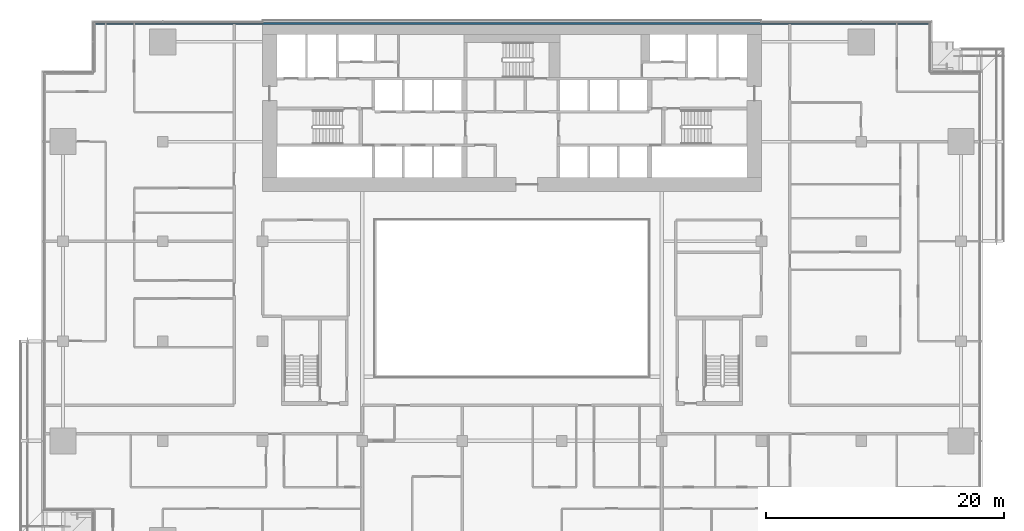
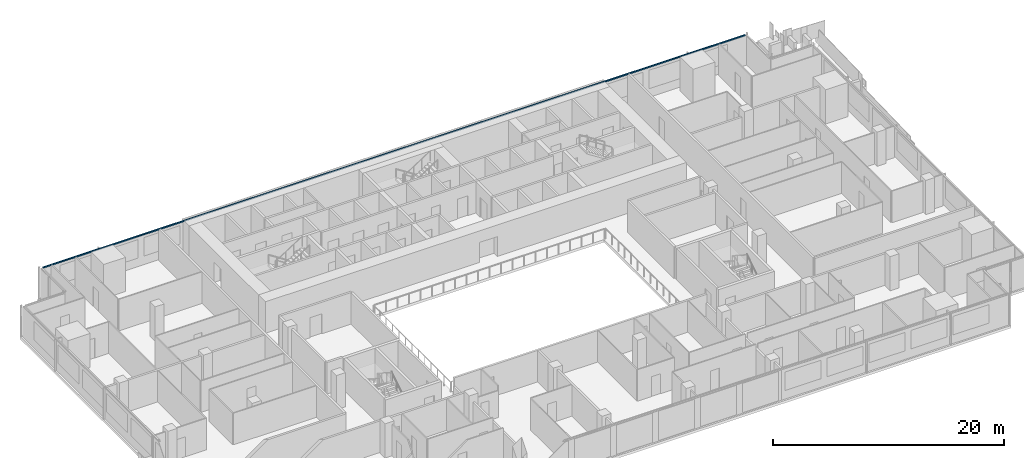
# One storey, part 8 of 27: 1 member, 1 element without a shape of its own.
"""IFC4 building model written with IfcOpenShell, lengths in metres."""

from ifc_helpers import new_model, si_unit, direction, frame, origin, origin_2d, place, context, subcontext, project, spatial, rectangle, extrude, material, material_profile, profile_set, type_object, element, aggregate, save


model = new_model("IFC4")

# Units and contexts
model_context = context("Model", 3, precision=1e-05, world=origin(), true_north=direction((0.0, 1.0)))
body_context = subcontext(model_context, "Body", "Model", "MODEL_VIEW")
ifc_project = project(units=[si_unit("LENGTHUNIT", "METRE"), si_unit("AREAUNIT", "SQUARE_METRE"), si_unit("VOLUMEUNIT", "CUBIC_METRE"), si_unit("PLANEANGLEUNIT", "RADIAN"), si_unit("MASSUNIT", "GRAM", prefix="KILO")], contexts=[model_context])

# Site, building, storey
site_placement = place(None, origin())
site = spatial("IfcSite", under=ifc_project, at=site_placement, CompositionType="ELEMENT")
building_placement = place(site_placement, origin())
building = spatial("IfcBuilding", under=site, at=building_placement, Name="Saffron Gate Tower", CompositionType="ELEMENT")
storey_placement = place(building_placement, frame((0.0, 0.0, 76.800048828125)))
storey = spatial("IfcBuildingStorey", under=building, at=storey_placement, Name="L18", CompositionType="ELEMENT", Elevation=76.800048828125)

# Curtain wall, member
ifc_material = material(Name="Aluminium, bronze anodised", Category="aluminium")
curtain_wall_type = type_object("IfcCurtainWallType", Name="CWS3 curtain wall rear facade", PredefinedType="NOTDEFINED", material=ifc_material)
curtain_wall_placement = place(storey_placement, origin())
curtain_wall = element("IfcCurtainWall", 1, at=curtain_wall_placement, inside=storey, type_object=curtain_wall_type, Name="CWS3 run 7", PredefinedType="NOTDEFINED")
ifc_material_profile = material_profile(ifc_material, rectangle(XDim=0.1201171875, YDim=0.1201171875, at=origin_2d()))
ifc_profile_set = profile_set([ifc_material_profile], Name="Aluminium, bronze anodised")
member_type = type_object("IfcMemberType", Name="CWS3 head transom", PredefinedType="USERDEFINED", material=ifc_profile_set)
member_placement = place(storey_placement, frame((122.632080078125, 75.35205078125, 3.260009765625), z_axis=(-1.0, 0.0, 0.0), x_axis=(0.0, -1.0, 0.0)))
member = element("IfcMember", 2, at=member_placement, type_object=member_type, Name="CWS3 head transom", ObjectType="TRANSOM", PredefinedType="USERDEFINED", context=body_context, shape_type="SweptSolid", body=[
    extrude(rectangle(XDim=0.1201171875, YDim=0.1201171875, at=origin_2d()), origin(), (0.0, 0.0, 1.0), 70.06396484375),
])
aggregate(curtain_wall, [member])

save(model, "model.ifc")
